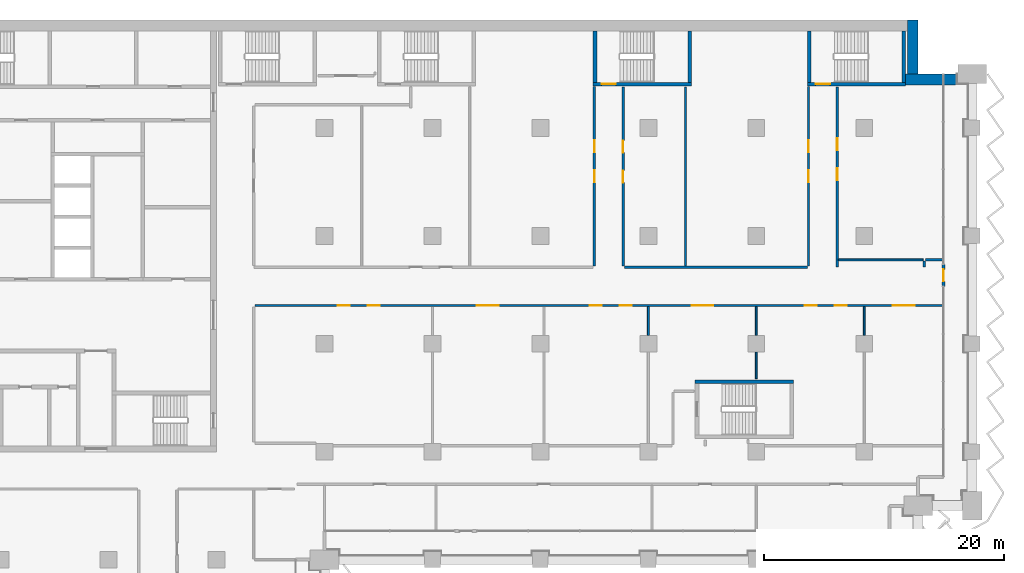
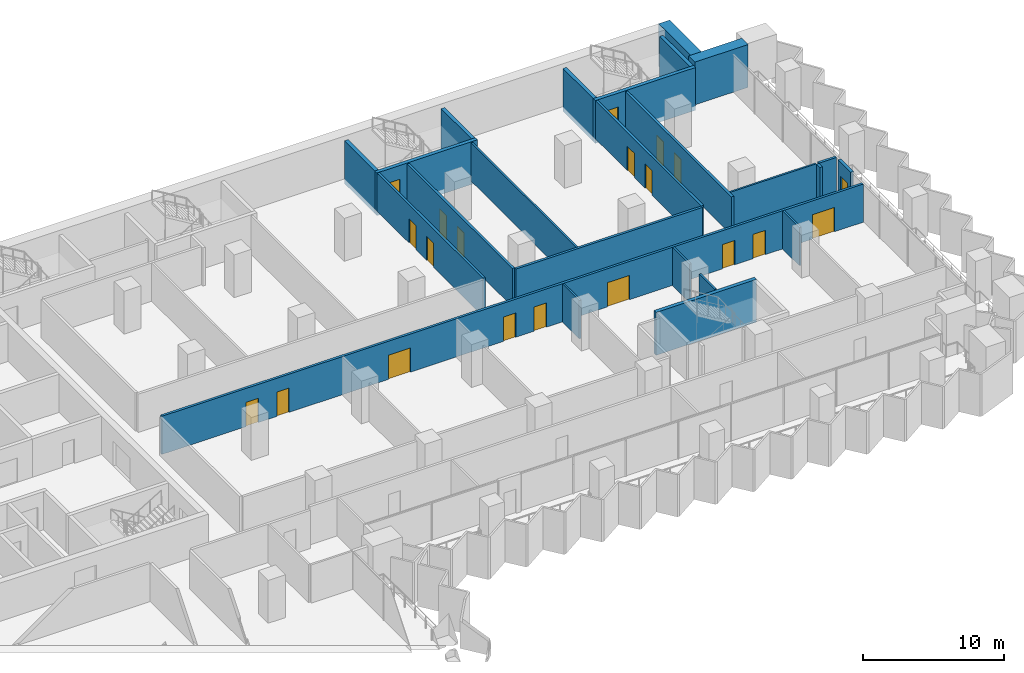
# One storey, part 19 of 29: 24 walls, 20 doors, 20 openings.
"""IFC4 building model written with IfcOpenShell, lengths in metres."""

from ifc_helpers import new_model, si_unit, direction, frame, frame_2d, origin, place, context, subcontext, project, spatial, rectangle, extrude, material, layer, layer_set, type_object, element, fill, save


model = new_model("IFC4")

# Units and contexts
model_context = context("Model", 3, precision=1e-05, world=origin(), true_north=direction((0.0, 1.0)))
body_context = subcontext(model_context, "Body", "Model", "MODEL_VIEW")
ifc_project = project(units=[si_unit("LENGTHUNIT", "METRE"), si_unit("AREAUNIT", "SQUARE_METRE"), si_unit("VOLUMEUNIT", "CUBIC_METRE"), si_unit("PLANEANGLEUNIT", "RADIAN"), si_unit("MASSUNIT", "GRAM", prefix="KILO")], contexts=[model_context])

# Site, building, storey
site_placement = place(None, origin())
site = spatial("IfcSite", under=ifc_project, at=site_placement, CompositionType="ELEMENT")
building_placement = place(site_placement, origin())
building = spatial("IfcBuilding", under=site, at=building_placement, Name="Hunhe Ridgeline Campus", CompositionType="ELEMENT")
storey_placement = place(building_placement, frame((0.0, 0.0, 65.39990234375)))
storey = spatial("IfcBuildingStorey", under=building, at=storey_placement, Name="L15", CompositionType="ELEMENT", Elevation=65.39990234375)

# Wall, openings, doors
ifc_material_1 = material(Name="Gypsum board partition")
ifc_layer_1 = layer(ifc_material_1, 0.199951171875)
ifc_layer_set_1 = layer_set([ifc_layer_1], Name="Corridor partition 200 gypsum board on steel studs")
wall_type_1 = type_object("IfcWallType", Name="Corridor partition 200 gypsum board on steel studs", PredefinedType="PARTITIONING", material=ifc_layer_set_1)
wall_1_placement = place(storey_placement, frame((96.544921875, 75.199951171875, 0.0), z_axis=(0.0, 0.0, 1.0), x_axis=(-1.0, 0.0, 0.0)))
wall_1 = element("IfcWall", 1, at=wall_1_placement, inside=storey, type_object=wall_type_1, Name="F-L15-wall-043", PredefinedType="PARTITIONING", context=body_context, shape_type="SweptSolid", body=[
    extrude(rectangle(XDim=57.344970703125, YDim=0.199951171875, at=frame_2d((28.67236328125, 0.0))), origin(), (0.0, 0.0, 1.0), 3.300048828125),
])
opening_1_placement = place(wall_1_placement, frame((49.457763671875, 0.0, 0.0)))
opening_1 = element("IfcOpeningElement", 2, at=opening_1_placement, cuts=wall_1, Name="Opening RD1-027", PredefinedType="OPENING", context=body_context, shape_type="SweptSolid", body=[
    extrude(rectangle(XDim=1.0, YDim=2.10009765625, at=frame_2d((0.5, 1.050048828125))), frame((0.0, 0.10009765625, 0.0), z_axis=(0.0, -1.0, 0.0), x_axis=(1.0, 0.0, 0.0)), (0.0, 0.0, 1.0), 0.199951171875),
])
opening_2_placement = place(wall_1_placement, frame((46.957763671875, 0.0, 0.0)))
opening_2 = element("IfcOpeningElement", 3, at=opening_2_placement, cuts=wall_1, Name="Opening RD1-028", PredefinedType="OPENING", context=body_context, shape_type="SweptSolid", body=[
    extrude(rectangle(XDim=1.0, YDim=2.10009765625, at=frame_2d((0.5, 1.050048828125))), frame((0.0, 0.10009765625, 0.0), z_axis=(0.0, -1.0, 0.0), x_axis=(1.0, 0.0, 0.0)), (0.0, 0.0, 1.0), 0.199951171875),
])
opening_3_placement = place(wall_1_placement, frame((37.037841796875, 0.0, 0.0)))
opening_3 = element("IfcOpeningElement", 4, at=opening_3_placement, cuts=wall_1, Name="Opening RD2-029", PredefinedType="OPENING", context=body_context, shape_type="SweptSolid", body=[
    extrude(rectangle(XDim=1.800048828125, YDim=2.10009765625, at=frame_2d((0.89990234375, 1.050048828125))), frame((0.0, 0.10009765625, 0.0), z_axis=(0.0, -1.0, 0.0), x_axis=(1.0, 0.0, 0.0)), (0.0, 0.0, 1.0), 0.199951171875),
])
opening_4_placement = place(wall_1_placement, frame((28.4228515625, 0.0, 0.0)))
opening_4 = element("IfcOpeningElement", 5, at=opening_4_placement, cuts=wall_1, Name="Opening RD1-030", PredefinedType="OPENING", context=body_context, shape_type="SweptSolid", body=[
    extrude(rectangle(XDim=1.0, YDim=2.10009765625, at=frame_2d((0.5, 1.050048828125))), frame((0.0, 0.10009765625, 0.0), z_axis=(0.0, -1.0, 0.0), x_axis=(1.0, 0.0, 0.0)), (0.0, 0.0, 1.0), 0.199951171875),
])
opening_5_placement = place(wall_1_placement, frame((25.9228515625, 0.0, 0.0)))
opening_5 = element("IfcOpeningElement", 6, at=opening_5_placement, cuts=wall_1, Name="Opening RD1-031", PredefinedType="OPENING", context=body_context, shape_type="SweptSolid", body=[
    extrude(rectangle(XDim=1.0, YDim=2.10009765625, at=frame_2d((0.5, 1.050048828125))), frame((0.0, 0.10009765625, 0.0), z_axis=(0.0, -1.0, 0.0), x_axis=(1.0, 0.0, 0.0)), (0.0, 0.0, 1.0), 0.199951171875),
])
opening_6_placement = place(wall_1_placement, frame((19.13330078125, 0.0, 0.0)))
opening_6 = element("IfcOpeningElement", 7, at=opening_6_placement, cuts=wall_1, Name="Opening RD2-032", PredefinedType="OPENING", context=body_context, shape_type="SweptSolid", body=[
    extrude(rectangle(XDim=1.800048828125, YDim=2.10009765625, at=frame_2d((0.89990234375, 1.050048828125))), frame((0.0, 0.10009765625, 0.0), z_axis=(0.0, -1.0, 0.0), x_axis=(1.0, 0.0, 0.0)), (0.0, 0.0, 1.0), 0.199951171875),
])
opening_7_placement = place(wall_1_placement, frame((10.518310546875, 0.0, 0.0)))
opening_7 = element("IfcOpeningElement", 8, at=opening_7_placement, cuts=wall_1, Name="Opening RD1-033", PredefinedType="OPENING", context=body_context, shape_type="SweptSolid", body=[
    extrude(rectangle(XDim=1.0, YDim=2.10009765625, at=frame_2d((0.5, 1.050048828125))), frame((0.0, 0.10009765625, 0.0), z_axis=(0.0, -1.0, 0.0), x_axis=(1.0, 0.0, 0.0)), (0.0, 0.0, 1.0), 0.199951171875),
])
opening_8_placement = place(wall_1_placement, frame((8.018310546875, 0.0, 0.0)))
opening_8 = element("IfcOpeningElement", 9, at=opening_8_placement, cuts=wall_1, Name="Opening RD1-034", PredefinedType="OPENING", context=body_context, shape_type="SweptSolid", body=[
    extrude(rectangle(XDim=1.0, YDim=2.10009765625, at=frame_2d((0.5, 1.050048828125))), frame((0.0, 0.10009765625, 0.0), z_axis=(0.0, -1.0, 0.0), x_axis=(1.0, 0.0, 0.0)), (0.0, 0.0, 1.0), 0.199951171875),
])
opening_9_placement = place(wall_1_placement, frame((2.35546875, 0.0, 0.0)))
opening_9 = element("IfcOpeningElement", 10, at=opening_9_placement, cuts=wall_1, Name="Opening RD2-035", PredefinedType="OPENING", context=body_context, shape_type="SweptSolid", body=[
    extrude(rectangle(XDim=1.800048828125, YDim=2.10009765625, at=frame_2d((0.89990234375, 1.050048828125))), frame((0.0, 0.10009765625, 0.0), z_axis=(0.0, -1.0, 0.0), x_axis=(1.0, 0.0, 0.0)), (0.0, 0.0, 1.0), 0.199951171875),
])
ifc_material_2 = material(Name="Timber door leaf", Category="wood")
door_type_1 = type_object("IfcDoorType", Name="Double fire door 1800x2100 timber FD60", OperationType="DOUBLE_DOOR_SINGLE_SWING", PredefinedType="DOOR", material=ifc_material_2)
door_1_placement = place(opening_3_placement, origin())
door_1 = element("IfcDoor", 11, at=door_1_placement, inside=storey, type_object=door_type_1, Name="F-L15-door-029", OperationType="DOUBLE_DOOR_SINGLE_SWING", OverallHeight=2.10009765625, OverallWidth=1.800048828125, PredefinedType="DOOR", context=body_context, shape_type="SweptSolid", body=[
    extrude(rectangle(XDim=1.800048828125, YDim=2.10009765625, at=frame_2d((0.89990234375, 1.050048828125))), frame((0.0, 0.02490234375, 0.0), z_axis=(0.0, -1.0, 0.0), x_axis=(1.0, 0.0, 0.0)), (0.0, 0.0, 1.0), 0.050048828125),
])
fill(opening_3, door_1)
door_2_placement = place(opening_6_placement, origin())
door_2 = element("IfcDoor", 12, at=door_2_placement, inside=storey, type_object=door_type_1, Name="F-L15-door-032", OperationType="DOUBLE_DOOR_SINGLE_SWING", OverallHeight=2.10009765625, OverallWidth=1.800048828125, PredefinedType="DOOR", context=body_context, shape_type="SweptSolid", body=[
    extrude(rectangle(XDim=1.800048828125, YDim=2.10009765625, at=frame_2d((0.89990234375, 1.050048828125))), frame((0.0, 0.02490234375, 0.0), z_axis=(0.0, -1.0, 0.0), x_axis=(1.0, 0.0, 0.0)), (0.0, 0.0, 1.0), 0.050048828125),
])
fill(opening_6, door_2)
door_3_placement = place(opening_9_placement, origin())
door_3 = element("IfcDoor", 13, at=door_3_placement, inside=storey, type_object=door_type_1, Name="F-L15-door-035", OperationType="DOUBLE_DOOR_SINGLE_SWING", OverallHeight=2.10009765625, OverallWidth=1.800048828125, PredefinedType="DOOR", context=body_context, shape_type="SweptSolid", body=[
    extrude(rectangle(XDim=1.800048828125, YDim=2.10009765625, at=frame_2d((0.89990234375, 1.050048828125))), frame((0.0, 0.02490234375, 0.0), z_axis=(0.0, -1.0, 0.0), x_axis=(1.0, 0.0, 0.0)), (0.0, 0.0, 1.0), 0.050048828125),
])
fill(opening_9, door_3)
door_type_2 = type_object("IfcDoorType", Name="Single fire door 1000x2100 timber FD60", OperationType="NOTDEFINED", PredefinedType="DOOR", material=ifc_material_2)
door_4_placement = place(opening_1_placement, frame((1.0, 0.0, 0.0), z_axis=(0.0, 0.0, 1.0), x_axis=(-1.0, 0.0, 0.0)))
door_4 = element("IfcDoor", 14, at=door_4_placement, inside=storey, type_object=door_type_2, Name="F-L15-door-027", OperationType="SINGLE_SWING_RIGHT", OverallHeight=2.10009765625, OverallWidth=1.0, PredefinedType="DOOR", context=body_context, shape_type="SweptSolid", body=[
    extrude(rectangle(XDim=1.0, YDim=2.10009765625, at=frame_2d((0.5, 1.050048828125))), frame((0.0, 0.02490234375, 0.0), z_axis=(0.0, -1.0, 0.0), x_axis=(1.0, 0.0, 0.0)), (0.0, 0.0, 1.0), 0.050048828125),
])
fill(opening_1, door_4)
door_5_placement = place(opening_2_placement, frame((1.0, 0.0, 0.0), z_axis=(0.0, 0.0, 1.0), x_axis=(-1.0, 0.0, 0.0)))
door_5 = element("IfcDoor", 15, at=door_5_placement, inside=storey, type_object=door_type_2, Name="F-L15-door-028", OperationType="SINGLE_SWING_RIGHT", OverallHeight=2.10009765625, OverallWidth=1.0, PredefinedType="DOOR", context=body_context, shape_type="SweptSolid", body=[
    extrude(rectangle(XDim=1.0, YDim=2.10009765625, at=frame_2d((0.5, 1.050048828125))), frame((0.0, 0.02490234375, 0.0), z_axis=(0.0, -1.0, 0.0), x_axis=(1.0, 0.0, 0.0)), (0.0, 0.0, 1.0), 0.050048828125),
])
fill(opening_2, door_5)
door_6_placement = place(opening_4_placement, frame((1.0, 0.0, 0.0), z_axis=(0.0, 0.0, 1.0), x_axis=(-1.0, 0.0, 0.0)))
door_6 = element("IfcDoor", 16, at=door_6_placement, inside=storey, type_object=door_type_2, Name="F-L15-door-030", OperationType="SINGLE_SWING_LEFT", OverallHeight=2.10009765625, OverallWidth=1.0, PredefinedType="DOOR", context=body_context, shape_type="SweptSolid", body=[
    extrude(rectangle(XDim=1.0, YDim=2.10009765625, at=frame_2d((0.5, 1.050048828125))), frame((0.0, 0.02490234375, 0.0), z_axis=(0.0, -1.0, 0.0), x_axis=(1.0, 0.0, 0.0)), (0.0, 0.0, 1.0), 0.050048828125),
])
fill(opening_4, door_6)
door_7_placement = place(opening_5_placement, frame((1.0, 0.0, 0.0), z_axis=(0.0, 0.0, 1.0), x_axis=(-1.0, 0.0, 0.0)))
door_7 = element("IfcDoor", 17, at=door_7_placement, inside=storey, type_object=door_type_2, Name="F-L15-door-031", OperationType="SINGLE_SWING_RIGHT", OverallHeight=2.10009765625, OverallWidth=1.0, PredefinedType="DOOR", context=body_context, shape_type="SweptSolid", body=[
    extrude(rectangle(XDim=1.0, YDim=2.10009765625, at=frame_2d((0.5, 1.050048828125))), frame((0.0, 0.02490234375, 0.0), z_axis=(0.0, -1.0, 0.0), x_axis=(1.0, 0.0, 0.0)), (0.0, 0.0, 1.0), 0.050048828125),
])
fill(opening_5, door_7)
door_8_placement = place(opening_7_placement, frame((1.0, 0.0, 0.0), z_axis=(0.0, 0.0, 1.0), x_axis=(-1.0, 0.0, 0.0)))
door_8 = element("IfcDoor", 18, at=door_8_placement, inside=storey, type_object=door_type_2, Name="F-L15-door-033", OperationType="SINGLE_SWING_RIGHT", OverallHeight=2.10009765625, OverallWidth=1.0, PredefinedType="DOOR", context=body_context, shape_type="SweptSolid", body=[
    extrude(rectangle(XDim=1.0, YDim=2.10009765625, at=frame_2d((0.5, 1.050048828125))), frame((0.0, 0.02490234375, 0.0), z_axis=(0.0, -1.0, 0.0), x_axis=(1.0, 0.0, 0.0)), (0.0, 0.0, 1.0), 0.050048828125),
])
fill(opening_7, door_8)
door_9_placement = place(opening_8_placement, frame((1.0, 0.0, 0.0), z_axis=(0.0, 0.0, 1.0), x_axis=(-1.0, 0.0, 0.0)))
door_9 = element("IfcDoor", 19, at=door_9_placement, inside=storey, type_object=door_type_2, Name="F-L15-door-034", OperationType="SINGLE_SWING_RIGHT", OverallHeight=2.10009765625, OverallWidth=1.0, PredefinedType="DOOR", context=body_context, shape_type="SweptSolid", body=[
    extrude(rectangle(XDim=1.0, YDim=2.10009765625, at=frame_2d((0.5, 1.050048828125))), frame((0.0, 0.02490234375, 0.0), z_axis=(0.0, -1.0, 0.0), x_axis=(1.0, 0.0, 0.0)), (0.0, 0.0, 1.0), 0.050048828125),
])
fill(opening_8, door_9)

# Walls
wall_2_placement = place(storey_placement, frame((70.0, 78.39990234375, 0.0), z_axis=(0.0, 0.0, 1.0), x_axis=(1.0, 0.0, 0.0)))
element("IfcWall", 20, at=wall_2_placement, inside=storey, type_object=wall_type_1, Name="F-L15-wall-045", PredefinedType="PARTITIONING", context=body_context, shape_type="SweptSolid", body=[
    extrude(rectangle(XDim=15.25, YDim=0.199951171875, at=frame_2d((7.625, 0.0))), origin(), (0.0, 0.0, 1.0), 3.300048828125),
])
wall_3_placement = place(storey_placement, frame((95.09912109375, 79.0009765625, 0.0), z_axis=(0.0, 0.0, 1.0), x_axis=(1.0, 0.0, 0.0)))
element("IfcWall", 21, at=wall_3_placement, inside=storey, type_object=wall_type_1, Name="F-L15-wall-047", PredefinedType="PARTITIONING", context=body_context, shape_type="SweptSolid", body=[
    extrude(rectangle(XDim=1.44580078125, YDim=0.199951171875, at=frame_2d((0.722900390625, 0.0))), origin(), (0.0, 0.0, 1.0), 3.300048828125),
])

# Wall, openings, doors
wall_4_placement = place(storey_placement, frame((67.5, 78.5, 0.0), z_axis=(0.0, 0.0, 1.0), x_axis=(0.0, 1.0, 0.0)))
wall_4 = element("IfcWall", 22, at=wall_4_placement, inside=storey, type_object=wall_type_1, Name="F-L15-wall-071", PredefinedType="PARTITIONING", context=body_context, shape_type="SweptSolid", body=[
    extrude(rectangle(XDim=14.969970703125, YDim=0.199951171875, at=frame_2d((7.48486328125, 0.0))), origin(), (0.0, 0.0, 1.0), 3.300048828125),
])
opening_10_placement = place(wall_4_placement, frame((6.985107421875, 0.0, 0.0)))
opening_10 = element("IfcOpeningElement", 23, at=opening_10_placement, cuts=wall_4, Name="Opening RD1-040", PredefinedType="OPENING", context=body_context, shape_type="SweptSolid", body=[
    extrude(rectangle(XDim=1.0, YDim=2.10009765625, at=frame_2d((0.5, 1.050048828125))), frame((0.0, 0.10009765625, 0.0), z_axis=(0.0, -1.0, 0.0), x_axis=(1.0, 0.0, 0.0)), (0.0, 0.0, 1.0), 0.199951171875),
])
opening_11_placement = place(wall_4_placement, frame((9.485107421875, 0.0, 0.0)))
opening_11 = element("IfcOpeningElement", 24, at=opening_11_placement, cuts=wall_4, Name="Opening RD1-045", PredefinedType="OPENING", context=body_context, shape_type="SweptSolid", body=[
    extrude(rectangle(XDim=1.0, YDim=2.10009765625, at=frame_2d((0.5, 1.050048828125))), frame((0.0, 0.10009765625, 0.0), z_axis=(0.0, -1.0, 0.0), x_axis=(1.0, 0.0, 0.0)), (0.0, 0.0, 1.0), 0.199951171875),
])
door_10_placement = place(opening_10_placement, frame((1.0, 0.0, 0.0), z_axis=(0.0, 0.0, 1.0), x_axis=(-1.0, 0.0, 0.0)))
door_10 = element("IfcDoor", 25, at=door_10_placement, inside=storey, type_object=door_type_2, Name="F-L15-door-040", OperationType="SINGLE_SWING_LEFT", OverallHeight=2.10009765625, OverallWidth=1.0, PredefinedType="DOOR", context=body_context, shape_type="SweptSolid", body=[
    extrude(rectangle(XDim=1.0, YDim=2.10009765625, at=frame_2d((0.5, 1.050048828125))), frame((0.0, 0.02490234375, 0.0), z_axis=(0.0, -1.0, 0.0), x_axis=(1.0, 0.0, 0.0)), (0.0, 0.0, 1.0), 0.050048828125),
])
fill(opening_10, door_10)
door_11_placement = place(opening_11_placement, frame((1.0, 0.0, 0.0), z_axis=(0.0, 0.0, 1.0), x_axis=(-1.0, 0.0, 0.0)))
door_11 = element("IfcDoor", 26, at=door_11_placement, inside=storey, type_object=door_type_2, Name="F-L15-door-045", OperationType="SINGLE_SWING_LEFT", OverallHeight=2.10009765625, OverallWidth=1.0, PredefinedType="DOOR", context=body_context, shape_type="SweptSolid", body=[
    extrude(rectangle(XDim=1.0, YDim=2.10009765625, at=frame_2d((0.5, 1.050048828125))), frame((0.0, 0.02490234375, 0.0), z_axis=(0.0, -1.0, 0.0), x_axis=(1.0, 0.0, 0.0)), (0.0, 0.0, 1.0), 0.050048828125),
])
fill(opening_11, door_11)

wall_5_placement = place(storey_placement, frame((69.89990234375, 93.39599609375, 0.0), z_axis=(0.0, 0.0, 1.0), x_axis=(0.0, -1.0, 0.0)))
wall_5 = element("IfcWall", 27, at=wall_5_placement, inside=storey, type_object=wall_type_1, Name="F-L15-wall-072", PredefinedType="PARTITIONING", context=body_context, shape_type="SweptSolid", body=[
    extrude(rectangle(XDim=14.89599609375, YDim=0.199951171875, at=frame_2d((7.447998046875, 0.0))), origin(), (0.0, 0.0, 1.0), 3.300048828125),
])
opening_12_placement = place(wall_5_placement, frame((6.947998046875, 0.0, 0.0)))
opening_12 = element("IfcOpeningElement", 28, at=opening_12_placement, cuts=wall_5, Name="Opening RD1-039", PredefinedType="OPENING", context=body_context, shape_type="SweptSolid", body=[
    extrude(rectangle(XDim=1.0, YDim=2.10009765625, at=frame_2d((0.5, 1.050048828125))), frame((0.0, 0.10009765625, 0.0), z_axis=(0.0, -1.0, 0.0), x_axis=(1.0, 0.0, 0.0)), (0.0, 0.0, 1.0), 0.199951171875),
])
opening_13_placement = place(wall_5_placement, frame((4.447998046875, 0.0, 0.0)))
opening_13 = element("IfcOpeningElement", 29, at=opening_13_placement, cuts=wall_5, Name="Opening RD1-044", PredefinedType="OPENING", context=body_context, shape_type="SweptSolid", body=[
    extrude(rectangle(XDim=1.0, YDim=2.10009765625, at=frame_2d((0.5, 1.050048828125))), frame((0.0, 0.10009765625, 0.0), z_axis=(0.0, -1.0, 0.0), x_axis=(1.0, 0.0, 0.0)), (0.0, 0.0, 1.0), 0.199951171875),
])
door_12_placement = place(opening_12_placement, frame((1.0, 0.0, 0.0), z_axis=(0.0, 0.0, 1.0), x_axis=(-1.0, 0.0, 0.0)))
door_12 = element("IfcDoor", 30, at=door_12_placement, inside=storey, type_object=door_type_2, Name="F-L15-door-039", OperationType="SINGLE_SWING_RIGHT", OverallHeight=2.10009765625, OverallWidth=1.0, PredefinedType="DOOR", context=body_context, shape_type="SweptSolid", body=[
    extrude(rectangle(XDim=1.0, YDim=2.10009765625, at=frame_2d((0.5, 1.050048828125))), frame((0.0, 0.02490234375, 0.0), z_axis=(0.0, -1.0, 0.0), x_axis=(1.0, 0.0, 0.0)), (0.0, 0.0, 1.0), 0.050048828125),
])
fill(opening_12, door_12)
door_13_placement = place(opening_13_placement, frame((1.0, 0.0, 0.0), z_axis=(0.0, 0.0, 1.0), x_axis=(-1.0, 0.0, 0.0)))
door_13 = element("IfcDoor", 31, at=door_13_placement, inside=storey, type_object=door_type_2, Name="F-L15-door-044", OperationType="SINGLE_SWING_RIGHT", OverallHeight=2.10009765625, OverallWidth=1.0, PredefinedType="DOOR", context=body_context, shape_type="SweptSolid", body=[
    extrude(rectangle(XDim=1.0, YDim=2.10009765625, at=frame_2d((0.5, 1.050048828125))), frame((0.0, 0.02490234375, 0.0), z_axis=(0.0, -1.0, 0.0), x_axis=(1.0, 0.0, 0.0)), (0.0, 0.0, 1.0), 0.050048828125),
])
fill(opening_13, door_13)

wall_6_placement = place(storey_placement, frame((85.35009765625, 78.5, 0.0), z_axis=(0.0, 0.0, 1.0), x_axis=(0.0, 1.0, 0.0)))
wall_6 = element("IfcWall", 32, at=wall_6_placement, inside=storey, type_object=wall_type_1, Name="F-L15-wall-083", PredefinedType="PARTITIONING", context=body_context, shape_type="SweptSolid", body=[
    extrude(rectangle(XDim=14.969970703125, YDim=0.199951171875, at=frame_2d((7.48486328125, 0.0))), origin(), (0.0, 0.0, 1.0), 3.300048828125),
])
opening_14_placement = place(wall_6_placement, frame((6.985107421875, 0.0, 0.0)))
opening_14 = element("IfcOpeningElement", 33, at=opening_14_placement, cuts=wall_6, Name="Opening RD1-041", PredefinedType="OPENING", context=body_context, shape_type="SweptSolid", body=[
    extrude(rectangle(XDim=1.0, YDim=2.10009765625, at=frame_2d((0.5, 1.050048828125))), frame((0.0, 0.10009765625, 0.0), z_axis=(0.0, -1.0, 0.0), x_axis=(1.0, 0.0, 0.0)), (0.0, 0.0, 1.0), 0.199951171875),
])
opening_15_placement = place(wall_6_placement, frame((9.485107421875, 0.0, 0.0)))
opening_15 = element("IfcOpeningElement", 34, at=opening_15_placement, cuts=wall_6, Name="Opening RD1-046", PredefinedType="OPENING", context=body_context, shape_type="SweptSolid", body=[
    extrude(rectangle(XDim=1.0, YDim=2.10009765625, at=frame_2d((0.5, 1.050048828125))), frame((0.0, 0.10009765625, 0.0), z_axis=(0.0, -1.0, 0.0), x_axis=(1.0, 0.0, 0.0)), (0.0, 0.0, 1.0), 0.199951171875),
])
door_14_placement = place(opening_14_placement, frame((1.0, 0.0, 0.0), z_axis=(0.0, 0.0, 1.0), x_axis=(-1.0, 0.0, 0.0)))
door_14 = element("IfcDoor", 35, at=door_14_placement, inside=storey, type_object=door_type_2, Name="F-L15-door-041", OperationType="SINGLE_SWING_LEFT", OverallHeight=2.10009765625, OverallWidth=1.0, PredefinedType="DOOR", context=body_context, shape_type="SweptSolid", body=[
    extrude(rectangle(XDim=1.0, YDim=2.10009765625, at=frame_2d((0.5, 1.050048828125))), frame((0.0, 0.02490234375, 0.0), z_axis=(0.0, -1.0, 0.0), x_axis=(1.0, 0.0, 0.0)), (0.0, 0.0, 1.0), 0.050048828125),
])
fill(opening_14, door_14)
door_15_placement = place(opening_15_placement, frame((1.0, 0.0, 0.0), z_axis=(0.0, 0.0, 1.0), x_axis=(-1.0, 0.0, 0.0)))
door_15 = element("IfcDoor", 36, at=door_15_placement, inside=storey, type_object=door_type_2, Name="F-L15-door-046", OperationType="SINGLE_SWING_LEFT", OverallHeight=2.10009765625, OverallWidth=1.0, PredefinedType="DOOR", context=body_context, shape_type="SweptSolid", body=[
    extrude(rectangle(XDim=1.0, YDim=2.10009765625, at=frame_2d((0.5, 1.050048828125))), frame((0.0, 0.02490234375, 0.0), z_axis=(0.0, -1.0, 0.0), x_axis=(1.0, 0.0, 0.0)), (0.0, 0.0, 1.0), 0.050048828125),
])
fill(opening_15, door_15)

wall_7_placement = place(storey_placement, frame((87.75, 93.39599609375, 0.0), z_axis=(0.0, 0.0, 1.0), x_axis=(0.0, -1.0, 0.0)))
wall_7 = element("IfcWall", 37, at=wall_7_placement, inside=storey, type_object=wall_type_1, Name="F-L15-wall-084", PredefinedType="PARTITIONING", context=body_context, shape_type="SweptSolid", body=[
    extrude(rectangle(XDim=14.99609375, YDim=0.199951171875, at=frame_2d((7.498046875, 0.0))), origin(), (0.0, 0.0, 1.0), 3.300048828125),
])
opening_16_placement = place(wall_7_placement, frame((6.743896484375, 0.0, 0.0)))
opening_16 = element("IfcOpeningElement", 38, at=opening_16_placement, cuts=wall_7, Name="Opening RD1-042", PredefinedType="OPENING", context=body_context, shape_type="SweptSolid", body=[
    extrude(rectangle(XDim=1.0, YDim=2.10009765625, at=frame_2d((0.5, 1.050048828125))), frame((0.0, 0.10009765625, 0.0), z_axis=(0.0, -1.0, 0.0), x_axis=(1.0, 0.0, 0.0)), (0.0, 0.0, 1.0), 0.199951171875),
])
opening_17_placement = place(wall_7_placement, frame((4.243896484375, 0.0, 0.0)))
opening_17 = element("IfcOpeningElement", 39, at=opening_17_placement, cuts=wall_7, Name="Opening RD1-047", PredefinedType="OPENING", context=body_context, shape_type="SweptSolid", body=[
    extrude(rectangle(XDim=1.0, YDim=2.10009765625, at=frame_2d((0.5, 1.050048828125))), frame((0.0, 0.10009765625, 0.0), z_axis=(0.0, -1.0, 0.0), x_axis=(1.0, 0.0, 0.0)), (0.0, 0.0, 1.0), 0.199951171875),
])
door_16_placement = place(opening_16_placement, frame((1.0, 0.0, 0.0), z_axis=(0.0, 0.0, 1.0), x_axis=(-1.0, 0.0, 0.0)))
door_16 = element("IfcDoor", 40, at=door_16_placement, inside=storey, type_object=door_type_2, Name="F-L15-door-042", OperationType="SINGLE_SWING_RIGHT", OverallHeight=2.10009765625, OverallWidth=1.0, PredefinedType="DOOR", context=body_context, shape_type="SweptSolid", body=[
    extrude(rectangle(XDim=1.0, YDim=2.10009765625, at=frame_2d((0.5, 1.050048828125))), frame((0.0, 0.02490234375, 0.0), z_axis=(0.0, -1.0, 0.0), x_axis=(1.0, 0.0, 0.0)), (0.0, 0.0, 1.0), 0.050048828125),
])
fill(opening_16, door_16)
door_17_placement = place(opening_17_placement, frame((1.0, 0.0, 0.0), z_axis=(0.0, 0.0, 1.0), x_axis=(-1.0, 0.0, 0.0)))
door_17 = element("IfcDoor", 41, at=door_17_placement, inside=storey, type_object=door_type_2, Name="F-L15-door-047", OperationType="SINGLE_SWING_RIGHT", OverallHeight=2.10009765625, OverallWidth=1.0, PredefinedType="DOOR", context=body_context, shape_type="SweptSolid", body=[
    extrude(rectangle(XDim=1.0, YDim=2.10009765625, at=frame_2d((0.5, 1.050048828125))), frame((0.0, 0.02490234375, 0.0), z_axis=(0.0, -1.0, 0.0), x_axis=(1.0, 0.0, 0.0)), (0.0, 0.0, 1.0), 0.050048828125),
])
fill(opening_17, door_17)

# Wall
wall_8_placement = place(storey_placement, frame((94.9990234375, 78.39990234375, 0.0), z_axis=(0.0, 0.0, 1.0), x_axis=(0.0, 1.0, 0.0)))
element("IfcWall", 42, at=wall_8_placement, inside=storey, type_object=wall_type_1, Name="F-L15-wall-087", PredefinedType="PARTITIONING", context=body_context, shape_type="SweptSolid", body=[
    extrude(rectangle(XDim=0.5009765625, YDim=0.199951171875, at=frame_2d((0.25048828125, 0.0))), origin(), (0.0, 0.0, 1.0), 3.300048828125),
])

# Wall, opening, door
ifc_material_3 = material(Name="Concrete C30", Category="concrete")
ifc_layer_2 = layer(ifc_material_3, 0.25)
ifc_layer_set_2 = layer_set([ifc_layer_2], Name="Loggia door pier wall 250 Concrete C30")
wall_type_2 = type_object("IfcWallType", Name="Loggia door pier wall 250 Concrete C30", PredefinedType="SOLIDWALL", material=ifc_layer_set_2)
wall_9_placement = place(storey_placement, frame((96.59912109375, 76.800537109375, 0.0), z_axis=(0.0, 0.0, 1.0), x_axis=(0.0, 1.0, 0.0)))
wall_9 = element("IfcWall", 43, at=wall_9_placement, inside=storey, type_object=wall_type_2, Name="Loggia door pier 4", PredefinedType="SOLIDWALL", context=body_context, shape_type="SweptSolid", body=[
    extrude(rectangle(XDim=1.800048828125, YDim=0.25, at=frame_2d((0.89990234375, 0.0))), origin(), (0.0, 0.0, 1.0), 3.300048828125),
])
opening_18_placement = place(wall_9_placement, frame((0.39990234375, 0.0, 0.0)))
opening_18 = element("IfcOpeningElement", 44, at=opening_18_placement, cuts=wall_9, Name="Opening BD108", PredefinedType="OPENING", context=body_context, shape_type="SweptSolid", body=[
    extrude(rectangle(XDim=1.0, YDim=2.10009765625, at=frame_2d((0.5, 1.050048828125))), frame((0.0, 0.125, 0.0), z_axis=(0.0, -1.0, 0.0), x_axis=(1.0, 0.0, 0.0)), (0.0, 0.0, 1.0), 0.25),
])
ifc_material_4 = material(Name="Aluminium 6063", Category="aluminium")
door_type_3 = type_object("IfcDoorType", Name="Loggia glazed door 1000x2100", OperationType="NOTDEFINED", PredefinedType="DOOR", material=ifc_material_4)
door_18_placement = place(opening_18_placement, frame((1.0, 0.0, 0.0), z_axis=(0.0, 0.0, 1.0), x_axis=(-1.0, 0.0, 0.0)))
door_18 = element("IfcDoor", 45, at=door_18_placement, inside=storey, type_object=door_type_3, Name="Loggia door BD108", OperationType="SINGLE_SWING_LEFT", OverallHeight=2.10009765625, OverallWidth=1.0, PredefinedType="DOOR", context=body_context, shape_type="SweptSolid", body=[
    extrude(rectangle(XDim=1.0, YDim=2.10009765625, at=frame_2d((0.5, 1.050048828125))), frame((0.0, 0.02490234375, 0.0), z_axis=(0.0, -1.0, 0.0), x_axis=(1.0, 0.0, 0.0)), (0.0, 0.0, 1.0), 0.050048828125),
])
fill(opening_18, door_18)

# Walls
ifc_layer_3 = layer(ifc_material_1, 0.14990234375)
ifc_layer_set_3 = layer_set([ifc_layer_3], Name="Room partition 150 gypsum board on steel studs")
wall_type_3 = type_object("IfcWallType", Name="Room partition 150 gypsum board on steel studs", PredefinedType="PARTITIONING", material=ifc_layer_set_3)
wall_10_placement = place(storey_placement, frame((87.85009765625, 79.0009765625, 0.0), z_axis=(0.0, 0.0, 1.0), x_axis=(1.0, 0.0, 0.0)))
element("IfcWall", 46, at=wall_10_placement, inside=storey, type_object=wall_type_3, Name="F-L15-wall-046", PredefinedType="PARTITIONING", context=body_context, shape_type="SweptSolid", body=[
    extrude(rectangle(XDim=7.048828125, YDim=0.14990234375, at=frame_2d((3.5244140625, 0.0))), origin(), (0.0, 0.0, 1.0), 3.300048828125),
])
wall_11_placement = place(storey_placement, frame((72.0, 75.10009765625, 0.0), z_axis=(0.0, 0.0, 1.0), x_axis=(0.0, -1.0, 0.0)))
element("IfcWall", 47, at=wall_11_placement, inside=storey, type_object=wall_type_3, Name="F-L15-wall-074", PredefinedType="PARTITIONING", context=body_context, shape_type="SweptSolid", body=[
    extrude(rectangle(XDim=2.400146484375, YDim=0.14990234375, at=frame_2d((1.2001953125, 0.0))), origin(), (0.0, 0.0, 1.0), 3.300048828125),
])
wall_12_placement = place(storey_placement, frame((75.10009765625, 93.39599609375, 0.0), z_axis=(0.0, 0.0, 1.0), x_axis=(0.0, -1.0, 0.0)))
element("IfcWall", 48, at=wall_12_placement, inside=storey, type_object=wall_type_3, Name="F-L15-wall-077", PredefinedType="PARTITIONING", context=body_context, shape_type="SweptSolid", body=[
    extrude(rectangle(XDim=14.89599609375, YDim=0.14990234375, at=frame_2d((7.447998046875, 0.0))), origin(), (0.0, 0.0, 1.0), 3.300048828125),
])
wall_13_placement = place(storey_placement, frame((81.0, 71.300048828125, 0.0), z_axis=(0.0, 0.0, 1.0), x_axis=(0.0, -1.0, 0.0)))
element("IfcWall", 49, at=wall_13_placement, inside=storey, type_object=wall_type_3, Name="F-L15-wall-081", PredefinedType="PARTITIONING", context=body_context, shape_type="SweptSolid", body=[
    extrude(rectangle(XDim=2.196044921875, YDim=0.14990234375, at=frame_2d((1.09814453125, 0.0))), origin(), (0.0, 0.0, 1.0), 3.300048828125),
])
for number, where, z_axis, x_axis, name in (
    (50, (81.0, 75.10009765625, 0.0), (0.0, 0.0, 1.0), (0.0, -1.0, 0.0), "F-L15-wall-082"),
    (51, (90.0, 75.10009765625, 0.0), (0.0, 0.0, 1.0), (0.0, -1.0, 0.0), "F-L15-wall-086"),
):
    element("IfcWall", number, at=place(storey_placement, frame(where, z_axis=z_axis, x_axis=x_axis)), inside=storey, type_object=wall_type_3, Name=name, PredefinedType="PARTITIONING", context=body_context, shape_type="SweptSolid", body=[
        extrude(rectangle(XDim=2.400146484375, YDim=0.14990234375, at=frame_2d((1.2001953125, 0.0))), origin(), (0.0, 0.0, 1.0), 3.300048828125),
    ])
ifc_material_5 = material(Name="Concrete C80", Category="concrete")
ifc_layer_4 = layer(ifc_material_5, 0.89990234375)
ifc_layer_set_4 = layer_set([ifc_layer_4], Name="Spine wall 900 Concrete C80")
wall_type_4 = type_object("IfcWallType", Name="Spine wall 900 Concrete C80", PredefinedType="SHEAR", material=ifc_layer_set_4)
wall_14_placement = place(storey_placement, frame((97.800048828125, 94.050048828125, 0.0), z_axis=(0.0, 0.0, 1.0), x_axis=(-1.0, 0.0, 0.0)))
element("IfcWall", 52, at=wall_14_placement, inside=storey, type_object=wall_type_4, Name="Spine wall SW1-2 L15", PredefinedType="SHEAR", context=body_context, shape_type="SweptSolid", body=[
    extrude(rectangle(XDim=4.3505859375, YDim=0.89990234375, at=frame_2d((2.17529296875, 0.0))), origin(), (0.0, 0.0, 1.0), 3.7001953125),
])
wall_15_placement = place(storey_placement, frame((94.050048828125, 93.60009765625, 0.0), z_axis=(0.0, 0.0, 1.0), x_axis=(0.0, 1.0, 0.0)))
element("IfcWall", 53, at=wall_15_placement, inside=storey, type_object=wall_type_4, Name="Spine wall SW1-3 L15", PredefinedType="SHEAR", context=body_context, shape_type="SweptSolid", body=[
    extrude(rectangle(XDim=5.39990234375, YDim=0.89990234375, at=frame_2d((2.699951171875, 0.0))), origin(), (0.0, 0.0, 1.0), 3.7001953125),
])
ifc_layer_5 = layer(ifc_material_5, 0.300048828125)
ifc_layer_set_5 = layer_set([ifc_layer_5], Name="Stair wall 300 reinforced concrete C80")
wall_type_5 = type_object("IfcWallType", Name="Stair wall 300 reinforced concrete C80", PredefinedType="SOLIDWALL", material=ifc_layer_set_5)
wall_16_placement = place(storey_placement, frame((75.89990234375, 68.85009765625, -0.39990234375), z_axis=(0.0, 0.0, 1.0), x_axis=(1.0, 0.0, 0.0)))
element("IfcWall", 54, at=wall_16_placement, inside=storey, type_object=wall_type_5, Name="L15 core wall 11", PredefinedType="SOLIDWALL", context=body_context, shape_type="SweptSolid", body=[
    extrude(rectangle(XDim=8.2001953125, YDim=0.300048828125, at=frame_2d((4.10009765625, 0.0))), origin(), (0.0, 0.0, 1.0), 3.699951171875),
])

# Wall, opening, door
wall_17_placement = place(storey_placement, frame((67.39990234375, 93.64990234375, -0.39990234375), z_axis=(0.0, 0.0, 1.0), x_axis=(1.0, 0.0, 0.0)))
wall_17 = element("IfcWall", 55, at=wall_17_placement, inside=storey, type_object=wall_type_5, Name="L15 core wall 34", PredefinedType="SOLIDWALL", context=body_context, shape_type="SweptSolid", body=[
    extrude(rectangle(XDim=8.2001953125, YDim=0.300048828125, at=frame_2d((4.10009765625, 0.0))), origin(), (0.0, 0.0, 1.0), 3.699951171875),
])
opening_19_placement = place(wall_17_placement, frame((0.699951171875, 0.0, 0.39990234375)))
opening_19 = element("IfcOpeningElement", 56, at=opening_19_placement, cuts=wall_17, Name="Opening CD19", PredefinedType="OPENING", context=body_context, shape_type="SweptSolid", body=[
    extrude(rectangle(XDim=1.199951171875, YDim=2.10009765625, at=frame_2d((0.60009765625, 1.050048828125))), frame((0.0, 0.14990234375, 0.0), z_axis=(0.0, -1.0, 0.0), x_axis=(1.0, 0.0, 0.0)), (0.0, 0.0, 1.0), 0.300048828125),
])
ifc_material_6 = material(Name="Hollow metal fire door leaf")
door_type_4 = type_object("IfcDoorType", Name="Stair door 1200x2100 FD60", OperationType="SINGLE_SWING_LEFT", PredefinedType="DOOR", material=ifc_material_6)
door_19_placement = place(opening_19_placement, frame((1.199951171875, 0.0, 0.0), z_axis=(0.0, 0.0, 1.0), x_axis=(-1.0, 0.0, 0.0)))
door_19 = element("IfcDoor", 57, at=door_19_placement, inside=storey, type_object=door_type_4, Name="L15 door E3", OperationType="SINGLE_SWING_RIGHT", OverallHeight=2.10009765625, OverallWidth=1.199951171875, PredefinedType="DOOR", context=body_context, shape_type="SweptSolid", body=[
    extrude(rectangle(XDim=1.199951171875, YDim=2.10009765625, at=frame_2d((0.60009765625, 1.050048828125))), frame((0.0, 0.02490234375, 0.0), z_axis=(0.0, -1.0, 0.0), x_axis=(1.0, 0.0, 0.0)), (0.0, 0.0, 1.0), 0.050048828125),
])
fill(opening_19, door_19)

wall_18_placement = place(storey_placement, frame((85.25, 93.64990234375, -0.39990234375), z_axis=(0.0, 0.0, 1.0), x_axis=(1.0, 0.0, 0.0)))
wall_18 = element("IfcWall", 58, at=wall_18_placement, inside=storey, type_object=wall_type_5, Name="L15 core wall 35", PredefinedType="SOLIDWALL", context=body_context, shape_type="SweptSolid", body=[
    extrude(rectangle(XDim=8.199951171875, YDim=0.300048828125, at=frame_2d((4.10009765625, 0.0))), origin(), (0.0, 0.0, 1.0), 3.699951171875),
])
opening_20_placement = place(wall_18_placement, frame((0.699951171875, 0.0, 0.39990234375)))
opening_20 = element("IfcOpeningElement", 59, at=opening_20_placement, cuts=wall_18, Name="Opening CD20", PredefinedType="OPENING", context=body_context, shape_type="SweptSolid", body=[
    extrude(rectangle(XDim=1.199951171875, YDim=2.10009765625, at=frame_2d((0.60009765625, 1.050048828125))), frame((0.0, 0.14990234375, 0.0), z_axis=(0.0, -1.0, 0.0), x_axis=(1.0, 0.0, 0.0)), (0.0, 0.0, 1.0), 0.300048828125),
])
door_20_placement = place(opening_20_placement, frame((1.199951171875, 0.0, 0.0), z_axis=(0.0, 0.0, 1.0), x_axis=(-1.0, 0.0, 0.0)))
door_20 = element("IfcDoor", 60, at=door_20_placement, inside=storey, type_object=door_type_4, Name="L15 door E4", OperationType="SINGLE_SWING_LEFT", OverallHeight=2.10009765625, OverallWidth=1.199951171875, PredefinedType="DOOR", context=body_context, shape_type="SweptSolid", body=[
    extrude(rectangle(XDim=1.199951171875, YDim=2.10009765625, at=frame_2d((0.60009765625, 1.050048828125))), frame((0.0, 0.02490234375, 0.0), z_axis=(0.0, -1.0, 0.0), x_axis=(1.0, 0.0, 0.0)), (0.0, 0.0, 1.0), 0.050048828125),
])
fill(opening_20, door_20)

# Walls
for number, where, z_axis, x_axis, name in (
    (61, (67.550048828125, 93.800048828125, -0.39990234375), (0.0, 0.0, 1.0), (0.0, 1.0, 0.0), "L15 core wall 69"),
    (62, (75.449951171875, 93.800048828125, -0.39990234375), (0.0, 0.0, 1.0), (0.0, 1.0, 0.0), "L15 core wall 70"),
    (63, (85.39990234375, 93.800048828125, -0.39990234375), (0.0, 0.0, 1.0), (0.0, 1.0, 0.0), "L15 core wall 73"),
    (64, (93.300048828125, 93.800048828125, -0.39990234375), (0.0, 0.0, 1.0), (0.0, 1.0, 0.0), "L15 core wall 74"),
):
    element("IfcWall", number, at=place(storey_placement, frame(where, z_axis=z_axis, x_axis=x_axis)), inside=storey, type_object=wall_type_5, Name=name, PredefinedType="SOLIDWALL", context=body_context, shape_type="SweptSolid", body=[
        extrude(rectangle(XDim=4.300048828125, YDim=0.300048828125, at=frame_2d((2.14990234375, 0.0))), origin(), (0.0, 0.0, 1.0), 3.699951171875),
    ])

save(model, "model.ifc")
